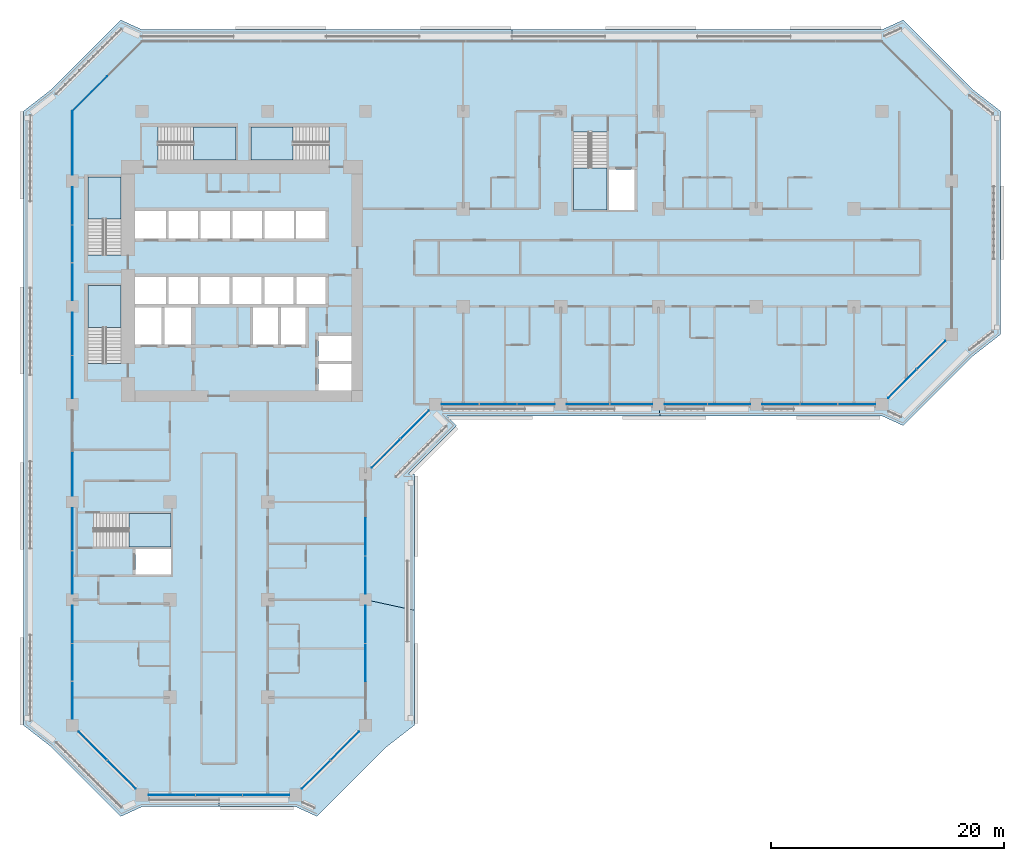
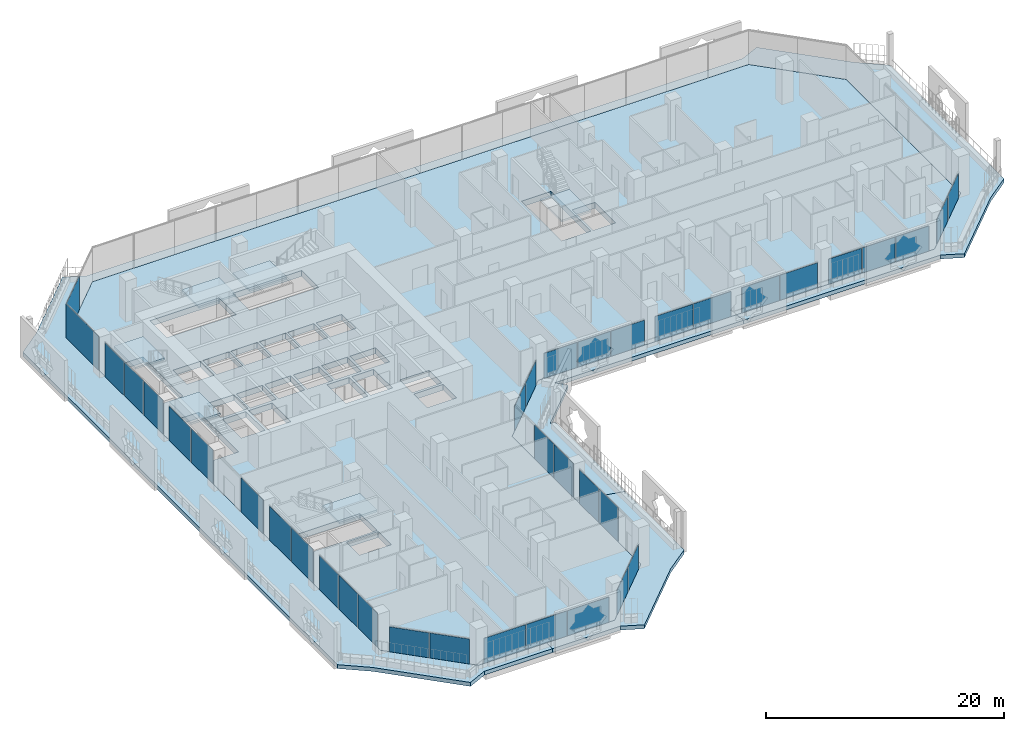
# One storey, part 10 of 25: 38 plates, 11 slabs, 15 elements without a shape of their own.
"""IFC4 building model written with IfcOpenShell, lengths in metres."""

from ifc_helpers import new_model, si_unit, direction, frame, origin, origin_2d, place, context, subcontext, project, spatial, polyline, rectangle, outline, extrude, material, layer, layer_set, type_object, element, aggregate, save


model = new_model("IFC4")

# Units and contexts
model_context = context("Model", 3, precision=1e-05, world=origin(), true_north=direction((0.0, 1.0)))
body_context = subcontext(model_context, "Body", "Model", "MODEL_VIEW")
ifc_project = project(units=[si_unit("LENGTHUNIT", "METRE"), si_unit("AREAUNIT", "SQUARE_METRE"), si_unit("VOLUMEUNIT", "CUBIC_METRE"), si_unit("PLANEANGLEUNIT", "RADIAN"), si_unit("MASSUNIT", "GRAM", prefix="KILO")], contexts=[model_context])

# Site, building, storey
site_placement = place(None, origin())
site = spatial("IfcSite", under=ifc_project, at=site_placement, CompositionType="ELEMENT")
building_placement = place(site_placement, origin())
building = spatial("IfcBuilding", under=site, at=building_placement, Name="Kawkab Arch Medical Tower", CompositionType="ELEMENT")
storey_placement = place(building_placement, frame((0.0, 0.0, 136.60009765625)))
storey = spatial("IfcBuildingStorey", under=building, at=storey_placement, Name="L31", CompositionType="ELEMENT", Elevation=136.60009765625)

# Curtain wall, plates
ifc_material_1 = material(Name="Bronze anodised aluminium curtain wall frame", Category="aluminium")
ifc_layer_1 = layer(ifc_material_1, 0.159912109375)
ifc_layer_set_1 = layer_set([ifc_layer_1], Name="Bronze anodised aluminium curtain wall frame")
curtain_wall_type_1 = type_object("IfcCurtainWallType", Name="CW1 ward curtain wall", PredefinedType="NOTDEFINED", material=ifc_layer_set_1)
placement_1 = place(storey_placement, origin())
curtain_wall_1 = element("IfcCurtainWall", 1, at=placement_1, inside=storey, type_object=curtain_wall_type_1, Name="CW1 Ward curtain wall R01", PredefinedType="NOTDEFINED")
ifc_material_2 = material(Name="Tinted insulating glass, bronze low-e coating", Category="glass")
ifc_layer_2 = layer(ifc_material_2, 0.031982421875)
ifc_layer_set_2 = layer_set([ifc_layer_2], Name="Tinted insulating glass, bronze low-e coating")
plate_type_1 = type_object("IfcPlateType", Name="CW1 glazing unit 32", PredefinedType="CURTAIN_PANEL", material=ifc_layer_set_2)
plate_1_placement = place(storey_placement, frame((0.0, -2.72509765625, 0.0), z_axis=(0.0, 0.0, 1.0), x_axis=(0.0, -1.0, 0.0)))
plate_1 = element("IfcPlate", 2, at=plate_1_placement, type_object=plate_type_1, Name="CW1 glazing unit 1.1", PredefinedType="CURTAIN_PANEL", context=body_context, shape_type="SweptSolid", body=[
    extrude(rectangle(XDim=5.449951171875, YDim=0.031982421875, at=origin_2d()), origin(), (0.0, 0.0, 1.0), 3.47998046875),
])
plate_2_placement = place(storey_placement, frame((0.0, -8.15576171875, 0.0), z_axis=(0.0, 0.0, 1.0), x_axis=(0.0, -1.0, 0.0)))
plate_2 = element("IfcPlate", 3, at=plate_2_placement, type_object=plate_type_1, Name="CW1 glazing unit 2.1", PredefinedType="CURTAIN_PANEL", context=body_context, shape_type="SweptSolid", body=[
    extrude(rectangle(XDim=3.211669921875, YDim=0.031982421875, at=origin_2d()), origin(), (0.0, 0.0, 1.0), 3.47998046875),
])
plate_3_placement = place(storey_placement, frame((0.0, -11.41259765625, 0.0), z_axis=(0.0, 0.0, 1.0), x_axis=(0.0, -1.0, 0.0)))
plate_3 = element("IfcPlate", 4, at=plate_3_placement, type_object=plate_type_1, Name="CW1 glazing unit 2.2", PredefinedType="CURTAIN_PANEL", context=body_context, shape_type="SweptSolid", body=[
    extrude(rectangle(XDim=3.181640625, YDim=0.031982421875, at=origin_2d()), origin(), (0.0, 0.0, 1.0), 3.47998046875),
])
plate_4_placement = place(storey_placement, frame((0.0, -14.669189453125, 0.0), z_axis=(0.0, 0.0, 1.0), x_axis=(0.0, -1.0, 0.0)))
plate_4 = element("IfcPlate", 5, at=plate_4_placement, type_object=plate_type_1, Name="CW1 glazing unit 2.3", PredefinedType="CURTAIN_PANEL", context=body_context, shape_type="SweptSolid", body=[
    extrude(rectangle(XDim=3.211669921875, YDim=0.031982421875, at=origin_2d()), origin(), (0.0, 0.0, 1.0), 3.47998046875),
])
plate_5_placement = place(storey_placement, frame((0.0, -19.1474609375, 0.0), z_axis=(0.0, 0.0, 1.0), x_axis=(0.0, -1.0, 0.0)))
plate_5 = element("IfcPlate", 6, at=plate_5_placement, type_object=plate_type_1, Name="CW1 glazing unit 3.1", PredefinedType="CURTAIN_PANEL", context=body_context, shape_type="SweptSolid", body=[
    extrude(rectangle(XDim=3.64501953125, YDim=0.031982421875, at=origin_2d()), origin(), (0.0, 0.0, 1.0), 3.47998046875),
])
plate_6_placement = place(storey_placement, frame((0.0, -22.8525390625, 0.0), z_axis=(0.0, 0.0, 1.0), x_axis=(0.0, -1.0, 0.0)))
plate_6 = element("IfcPlate", 7, at=plate_6_placement, type_object=plate_type_1, Name="CW1 glazing unit 3.2", PredefinedType="CURTAIN_PANEL", context=body_context, shape_type="SweptSolid", body=[
    extrude(rectangle(XDim=3.64501953125, YDim=0.031982421875, at=origin_2d()), origin(), (0.0, 0.0, 1.0), 3.47998046875),
])
plate_7_placement = place(storey_placement, frame((0.0, -31.237548828125, 0.0), z_axis=(0.0, 0.0, 1.0), x_axis=(0.0, -1.0, 0.0)))
plate_7 = element("IfcPlate", 8, at=plate_7_placement, type_object=plate_type_1, Name="CW1 glazing unit 4.2", PredefinedType="CURTAIN_PANEL", context=body_context, shape_type="SweptSolid", body=[
    extrude(rectangle(XDim=3.675048828125, YDim=0.031982421875, at=origin_2d()), origin(), (0.0, 0.0, 1.0), 3.47998046875),
])
plate_8_placement = place(storey_placement, frame((0.0, -35.947509765625, 0.0), z_axis=(0.0, 0.0, 1.0), x_axis=(0.0, -1.0, 0.0)))
plate_8 = element("IfcPlate", 9, at=plate_8_placement, type_object=plate_type_1, Name="CW1 glazing unit 5.1", PredefinedType="CURTAIN_PANEL", context=body_context, shape_type="SweptSolid", body=[
    extrude(rectangle(XDim=3.64501953125, YDim=0.031982421875, at=origin_2d()), origin(), (0.0, 0.0, 1.0), 3.47998046875),
])
plate_9_placement = place(storey_placement, frame((0.0, -39.652587890625, 0.0), z_axis=(0.0, 0.0, 1.0), x_axis=(0.0, -1.0, 0.0)))
plate_9 = element("IfcPlate", 10, at=plate_9_placement, type_object=plate_type_1, Name="CW1 glazing unit 5.2", PredefinedType="CURTAIN_PANEL", context=body_context, shape_type="SweptSolid", body=[
    extrude(rectangle(XDim=3.64501953125, YDim=0.031982421875, at=origin_2d()), origin(), (0.0, 0.0, 1.0), 3.47998046875),
])
plate_10_placement = place(storey_placement, frame((0.0, -44.130859375, 0.0), z_axis=(0.0, 0.0, 1.0), x_axis=(0.0, -1.0, 0.0)))
plate_10 = element("IfcPlate", 11, at=plate_10_placement, type_object=plate_type_1, Name="CW1 glazing unit 6.1", PredefinedType="CURTAIN_PANEL", context=body_context, shape_type="SweptSolid", body=[
    extrude(rectangle(XDim=3.211669921875, YDim=0.031982421875, at=origin_2d()), origin(), (0.0, 0.0, 1.0), 3.47998046875),
])
plate_11_placement = place(storey_placement, frame((0.0, -47.387451171875, 0.0), z_axis=(0.0, 0.0, 1.0), x_axis=(0.0, -1.0, 0.0)))
plate_11 = element("IfcPlate", 12, at=plate_11_placement, type_object=plate_type_1, Name="CW1 glazing unit 6.2", PredefinedType="CURTAIN_PANEL", context=body_context, shape_type="SweptSolid", body=[
    extrude(rectangle(XDim=3.181640625, YDim=0.031982421875, at=origin_2d()), origin(), (0.0, 0.0, 1.0), 3.47998046875),
])
plate_12_placement = place(storey_placement, frame((0.0, -50.644287109375, 0.0), z_axis=(0.0, 0.0, 1.0), x_axis=(0.0, -1.0, 0.0)))
plate_12 = element("IfcPlate", 13, at=plate_12_placement, type_object=plate_type_1, Name="CW1 glazing unit 6.3", PredefinedType="CURTAIN_PANEL", context=body_context, shape_type="SweptSolid", body=[
    extrude(rectangle(XDim=3.211669921875, YDim=0.031982421875, at=origin_2d()), origin(), (0.0, 0.0, 1.0), 3.47998046875),
])
aggregate(curtain_wall_1, [plate_1, plate_2, plate_3, plate_4, plate_5, plate_6, plate_7, plate_8, plate_9, plate_10, plate_11, plate_12])

curtain_wall_2 = element("IfcCurtainWall", 14, at=placement_1, inside=storey, type_object=curtain_wall_type_1, Name="CW1 Ward curtain wall R03", PredefinedType="NOTDEFINED")
plate_13_placement = place(storey_placement, frame((8.5517578125, -58.800048828125, -0.000244140625), z_axis=(0.0, 0.0, 1.0), x_axis=(1.0, 0.0, 0.0)))
plate_13 = element("IfcPlate", 15, at=plate_13_placement, type_object=plate_type_1, Name="CW1 glazing unit 1.1", PredefinedType="CURTAIN_PANEL", context=body_context, shape_type="SweptSolid", body=[
    extrude(rectangle(XDim=4.00341796875, YDim=0.031982421875, at=origin_2d()), origin(), (0.0, 0.0, 1.0), 2.580078125),
])
plate_14_placement = place(storey_placement, frame((12.60009765625, -58.800048828125, -0.000244140625), z_axis=(0.0, 0.0, 1.0), x_axis=(1.0, 0.0, 0.0)))
plate_14 = element("IfcPlate", 16, at=plate_14_placement, type_object=plate_type_1, Name="CW1 glazing unit 1.2", PredefinedType="CURTAIN_PANEL", context=body_context, shape_type="SweptSolid", body=[
    extrude(rectangle(XDim=3.973388671875, YDim=0.031982421875, at=origin_2d()), origin(), (0.0, 0.0, 1.0), 2.580078125),
])
plate_15_placement = place(storey_placement, frame((16.6484375, -58.800048828125, -0.000244140625), z_axis=(0.0, 0.0, 1.0), x_axis=(1.0, 0.0, 0.0)))
plate_15 = element("IfcPlate", 17, at=plate_15_placement, type_object=plate_type_1, Name="CW1 glazing unit 1.3", PredefinedType="CURTAIN_PANEL", context=body_context, shape_type="SweptSolid", body=[
    extrude(rectangle(XDim=4.00341796875, YDim=0.031982421875, at=origin_2d()), origin(), (0.0, 0.0, 1.0), 2.580078125),
])
aggregate(curtain_wall_2, [plate_13, plate_14, plate_15])

curtain_wall_3 = element("IfcCurtainWall", 18, at=placement_1, inside=storey, type_object=curtain_wall_type_1, Name="CW1 Ward curtain wall R05", PredefinedType="NOTDEFINED")
plate_16_placement = place(storey_placement, frame((25.199951171875, -47.402587890625, 0.0), z_axis=(0.0, 0.0, 1.0), x_axis=(0.0, 1.0, 0.0)))
plate_16 = element("IfcPlate", 19, at=plate_16_placement, type_object=plate_type_1, Name="CW1 glazing unit 1.2", PredefinedType="CURTAIN_PANEL", context=body_context, shape_type="SweptSolid", body=[
    extrude(rectangle(XDim=3.211669921875, YDim=0.031982421875, at=origin_2d()), origin(), (0.0, 0.0, 1.0), 3.47998046875),
])
plate_17_placement = place(storey_placement, frame((25.199951171875, -44.130859375, 0.0), z_axis=(0.0, 0.0, 1.0), x_axis=(0.0, 1.0, 0.0)))
plate_17 = element("IfcPlate", 20, at=plate_17_placement, type_object=plate_type_1, Name="CW1 glazing unit 1.3", PredefinedType="CURTAIN_PANEL", context=body_context, shape_type="SweptSolid", body=[
    extrude(rectangle(XDim=3.211669921875, YDim=0.031982421875, at=origin_2d()), origin(), (0.0, 0.0, 1.0), 3.47998046875),
])
plate_18_placement = place(storey_placement, frame((25.199951171875, -39.869140625, 0.0), z_axis=(0.0, 0.0, 1.0), x_axis=(0.0, 1.0, 0.0)))
plate_18 = element("IfcPlate", 21, at=plate_18_placement, type_object=plate_type_1, Name="CW1 glazing unit 2.1", PredefinedType="CURTAIN_PANEL", context=body_context, shape_type="SweptSolid", body=[
    extrude(rectangle(XDim=3.211669921875, YDim=0.031982421875, at=origin_2d()), origin(), (0.0, 0.0, 1.0), 3.47998046875),
])
plate_19_placement = place(storey_placement, frame((25.199951171875, -36.597412109375, 0.0), z_axis=(0.0, 0.0, 1.0), x_axis=(0.0, 1.0, 0.0)))
plate_19 = element("IfcPlate", 22, at=plate_19_placement, type_object=plate_type_1, Name="CW1 glazing unit 2.2", PredefinedType="CURTAIN_PANEL", context=body_context, shape_type="SweptSolid", body=[
    extrude(rectangle(XDim=3.211669921875, YDim=0.031982421875, at=origin_2d()), origin(), (0.0, 0.0, 1.0), 3.47998046875),
])
aggregate(curtain_wall_3, [plate_16, plate_17, plate_18, plate_19])

curtain_wall_4 = element("IfcCurtainWall", 23, at=placement_1, inside=storey, type_object=curtain_wall_type_1, Name="CW1 Ward curtain wall R07", PredefinedType="NOTDEFINED")
plate_20_placement = place(storey_placement, frame((33.355712890625, -25.199951171875, -0.000244140625), z_axis=(0.0, 0.0, 1.0), x_axis=(1.0, 0.0, 0.0)))
plate_20 = element("IfcPlate", 24, at=plate_20_placement, type_object=plate_type_1, Name="CW1 glazing unit 1.1", PredefinedType="CURTAIN_PANEL", context=body_context, shape_type="SweptSolid", body=[
    extrude(rectangle(XDim=3.211669921875, YDim=0.031982421875, at=origin_2d()), origin(), (0.0, 0.0, 1.0), 2.580078125),
])
plate_21_placement = place(storey_placement, frame((36.612548828125, -25.199951171875, -0.000244140625), z_axis=(0.0, 0.0, 1.0), x_axis=(1.0, 0.0, 0.0)))
plate_21 = element("IfcPlate", 25, at=plate_21_placement, type_object=plate_type_1, Name="CW1 glazing unit 1.2", PredefinedType="CURTAIN_PANEL", context=body_context, shape_type="SweptSolid", body=[
    extrude(rectangle(XDim=3.181640625, YDim=0.031982421875, at=origin_2d()), origin(), (0.0, 0.0, 1.0), 2.580078125),
])
plate_22_placement = place(storey_placement, frame((39.869140625, -25.199951171875, -0.000244140625), z_axis=(0.0, 0.0, 1.0), x_axis=(1.0, 0.0, 0.0)))
plate_22 = element("IfcPlate", 26, at=plate_22_placement, type_object=plate_type_1, Name="CW1 glazing unit 1.3", PredefinedType="CURTAIN_PANEL", context=body_context, shape_type="SweptSolid", body=[
    extrude(rectangle(XDim=3.211669921875, YDim=0.031982421875, at=origin_2d()), origin(), (0.0, 0.0, 1.0), 2.580078125),
])
plate_23_placement = place(storey_placement, frame((44.347412109375, -25.199951171875, -0.000244140625), z_axis=(0.0, 0.0, 1.0), x_axis=(1.0, 0.0, 0.0)))
plate_23 = element("IfcPlate", 27, at=plate_23_placement, type_object=plate_type_1, Name="CW1 glazing unit 2.1", PredefinedType="CURTAIN_PANEL", context=body_context, shape_type="SweptSolid", body=[
    extrude(rectangle(XDim=3.64501953125, YDim=0.031982421875, at=origin_2d()), origin(), (0.0, 0.0, 1.0), 2.580078125),
])
plate_24_placement = place(storey_placement, frame((48.052490234375, -25.199951171875, -0.000244140625), z_axis=(0.0, 0.0, 1.0), x_axis=(1.0, 0.0, 0.0)))
plate_24 = element("IfcPlate", 28, at=plate_24_placement, type_object=plate_type_1, Name="CW1 glazing unit 2.2", PredefinedType="CURTAIN_PANEL", context=body_context, shape_type="SweptSolid", body=[
    extrude(rectangle(XDim=3.64501953125, YDim=0.031982421875, at=origin_2d()), origin(), (0.0, 0.0, 1.0), 2.580078125),
])
plate_25_placement = place(storey_placement, frame((52.74755859375, -25.199951171875, -0.000244140625), z_axis=(0.0, 0.0, 1.0), x_axis=(1.0, 0.0, 0.0)))
plate_25 = element("IfcPlate", 29, at=plate_25_placement, type_object=plate_type_1, Name="CW1 glazing unit 3.1", PredefinedType="CURTAIN_PANEL", context=body_context, shape_type="SweptSolid", body=[
    extrude(rectangle(XDim=3.64501953125, YDim=0.031982421875, at=origin_2d()), origin(), (0.0, 0.0, 1.0), 2.580078125),
])
plate_26_placement = place(storey_placement, frame((56.452392578125, -25.199951171875, -0.000244140625), z_axis=(0.0, 0.0, 1.0), x_axis=(1.0, 0.0, 0.0)))
plate_26 = element("IfcPlate", 30, at=plate_26_placement, type_object=plate_type_1, Name="CW1 glazing unit 3.2", PredefinedType="CURTAIN_PANEL", context=body_context, shape_type="SweptSolid", body=[
    extrude(rectangle(XDim=3.64501953125, YDim=0.031982421875, at=origin_2d()), origin(), (0.0, 0.0, 1.0), 2.580078125),
])
plate_27_placement = place(storey_placement, frame((60.930908203125, -25.199951171875, -0.000244140625), z_axis=(0.0, 0.0, 1.0), x_axis=(1.0, 0.0, 0.0)))
plate_27 = element("IfcPlate", 31, at=plate_27_placement, type_object=plate_type_1, Name="CW1 glazing unit 4.1", PredefinedType="CURTAIN_PANEL", context=body_context, shape_type="SweptSolid", body=[
    extrude(rectangle(XDim=3.211669921875, YDim=0.031982421875, at=origin_2d()), origin(), (0.0, 0.0, 1.0), 2.580078125),
])
plate_28_placement = place(storey_placement, frame((64.1875, -25.199951171875, -0.000244140625), z_axis=(0.0, 0.0, 1.0), x_axis=(1.0, 0.0, 0.0)))
plate_28 = element("IfcPlate", 32, at=plate_28_placement, type_object=plate_type_1, Name="CW1 glazing unit 4.2", PredefinedType="CURTAIN_PANEL", context=body_context, shape_type="SweptSolid", body=[
    extrude(rectangle(XDim=3.181640625, YDim=0.031982421875, at=origin_2d()), origin(), (0.0, 0.0, 1.0), 2.580078125),
])
plate_29_placement = place(storey_placement, frame((67.444091796875, -25.199951171875, -0.000244140625), z_axis=(0.0, 0.0, 1.0), x_axis=(1.0, 0.0, 0.0)))
plate_29 = element("IfcPlate", 33, at=plate_29_placement, type_object=plate_type_1, Name="CW1 glazing unit 4.3", PredefinedType="CURTAIN_PANEL", context=body_context, shape_type="SweptSolid", body=[
    extrude(rectangle(XDim=3.211669921875, YDim=0.031982421875, at=origin_2d()), origin(), (0.0, 0.0, 1.0), 2.580078125),
])
aggregate(curtain_wall_4, [plate_20, plate_21, plate_22, plate_23, plate_24, plate_25, plate_26, plate_27, plate_28, plate_29])

ifc_material_3 = material(Name="Bronze anodised aluminium curtain wall frame", Category="aluminium")
ifc_layer_3 = layer(ifc_material_3, 0.159912109375)
ifc_layer_set_3 = layer_set([ifc_layer_3], Name="Bronze anodised aluminium curtain wall frame")
curtain_wall_type_2 = type_object("IfcCurtainWallType", Name="CW2 chamfer curtain wall", PredefinedType="NOTDEFINED", material=ifc_layer_set_3)
curtain_wall_5 = element("IfcCurtainWall", 34, at=placement_1, inside=storey, type_object=curtain_wall_type_2, Name="CW2 Chamfer curtain wall R02", PredefinedType="NOTDEFINED")
ifc_material_4 = material(Name="Tinted insulating glass, bronze low-e coating", Category="glass")
ifc_layer_4 = layer(ifc_material_4, 0.031982421875)
ifc_layer_set_4 = layer_set([ifc_layer_4], Name="Tinted insulating glass, bronze low-e coating")
plate_type_2 = type_object("IfcPlateType", Name="CW2 glazing unit 32", PredefinedType="CURTAIN_PANEL", material=ifc_layer_set_4)
plate_30_placement = place(storey_placement, frame((1.764404296875, -54.564453125, -0.000244140625), z_axis=(0.0, 0.0, 1.0), x_axis=(0.707106781187, -0.707106781187, 0.0)))
plate_30 = element("IfcPlate", 35, at=plate_30_placement, type_object=plate_type_2, Name="CW2 glazing unit 1.1", PredefinedType="CURTAIN_PANEL", context=body_context, shape_type="SweptSolid", body=[
    extrude(rectangle(XDim=3.434814453125, YDim=0.031982421875, at=origin_2d()), origin(), (0.0, 0.0, 1.0), 2.56005859375),
])
plate_31_placement = place(storey_placement, frame((4.235595703125, -57.03564453125, -0.000244140625), z_axis=(0.0, 0.0, 1.0), x_axis=(0.707106781187, -0.707106781187, 0.0)))
plate_31 = element("IfcPlate", 36, at=plate_31_placement, type_object=plate_type_2, Name="CW2 glazing unit 1.2", PredefinedType="CURTAIN_PANEL", context=body_context, shape_type="SweptSolid", body=[
    extrude(rectangle(XDim=3.434814453125, YDim=0.031982421875, at=origin_2d()), origin(), (0.0, 0.0, 1.0), 2.56005859375),
])
aggregate(curtain_wall_5, [plate_30, plate_31])

curtain_wall_6 = element("IfcCurtainWall", 37, at=placement_1, inside=storey, type_object=curtain_wall_type_2, Name="CW2 Chamfer curtain wall R04", PredefinedType="NOTDEFINED")
plate_32_placement = place(storey_placement, frame((20.96435546875, -57.03564453125, -0.000244140625), z_axis=(0.0, 0.0, 1.0), x_axis=(0.707106781187, 0.707106781187, 0.0)))
plate_32 = element("IfcPlate", 38, at=plate_32_placement, type_object=plate_type_2, Name="CW2 glazing unit 1.1", PredefinedType="CURTAIN_PANEL", context=body_context, shape_type="SweptSolid", body=[
    extrude(rectangle(XDim=3.434814453125, YDim=0.031982421875, at=origin_2d()), origin(), (0.0, 0.0, 1.0), 2.56005859375),
])
plate_33_placement = place(storey_placement, frame((23.435546875, -54.564453125, -0.000244140625), z_axis=(0.0, 0.0, 1.0), x_axis=(0.707106781187, 0.707106781187, 0.0)))
plate_33 = element("IfcPlate", 39, at=plate_33_placement, type_object=plate_type_2, Name="CW2 glazing unit 1.2", PredefinedType="CURTAIN_PANEL", context=body_context, shape_type="SweptSolid", body=[
    extrude(rectangle(XDim=3.434814453125, YDim=0.031982421875, at=origin_2d()), origin(), (0.0, 0.0, 1.0), 2.56005859375),
])
aggregate(curtain_wall_6, [plate_32, plate_33])

curtain_wall_7 = element("IfcCurtainWall", 40, at=placement_1, inside=storey, type_object=curtain_wall_type_2, Name="CW2 Chamfer curtain wall R06", PredefinedType="NOTDEFINED")
plate_34_placement = place(storey_placement, frame((26.96435546875, -29.435546875, -0.000244140625), z_axis=(0.0, 0.0, 1.0), x_axis=(0.707106781187, 0.707106781187, 0.0)))
plate_34 = element("IfcPlate", 41, at=plate_34_placement, type_object=plate_type_2, Name="CW2 glazing unit 1.1", PredefinedType="CURTAIN_PANEL", context=body_context, shape_type="SweptSolid", body=[
    extrude(rectangle(XDim=3.434814453125, YDim=0.031982421875, at=origin_2d()), origin(), (0.0, 0.0, 1.0), 2.56005859375),
])
plate_35_placement = place(storey_placement, frame((29.435546875, -26.96435546875, -0.000244140625), z_axis=(0.0, 0.0, 1.0), x_axis=(0.707106781187, 0.707106781187, 0.0)))
plate_35 = element("IfcPlate", 42, at=plate_35_placement, type_object=plate_type_2, Name="CW2 glazing unit 1.2", PredefinedType="CURTAIN_PANEL", context=body_context, shape_type="SweptSolid", body=[
    extrude(rectangle(XDim=3.434814453125, YDim=0.031982421875, at=origin_2d()), origin(), (0.0, 0.0, 1.0), 2.56005859375),
])
aggregate(curtain_wall_7, [plate_34, plate_35])

curtain_wall_8 = element("IfcCurtainWall", 43, at=placement_1, inside=storey, type_object=curtain_wall_type_2, Name="CW2 Chamfer curtain wall R08", PredefinedType="NOTDEFINED")
plate_36_placement = place(storey_placement, frame((71.364501953125, -23.435546875, -0.000244140625), z_axis=(0.0, 0.0, 1.0), x_axis=(0.707106781187, 0.707106781187, 0.0)))
plate_36 = element("IfcPlate", 44, at=plate_36_placement, type_object=plate_type_2, Name="CW2 glazing unit 1.1", PredefinedType="CURTAIN_PANEL", context=body_context, shape_type="SweptSolid", body=[
    extrude(rectangle(XDim=3.434814453125, YDim=0.031982421875, at=origin_2d()), origin(), (0.0, 0.0, 1.0), 2.56005859375),
])
plate_37_placement = place(storey_placement, frame((73.835693359375, -20.96435546875, -0.000244140625), z_axis=(0.0, 0.0, 1.0), x_axis=(0.707106781187, 0.707106781187, 0.0)))
plate_37 = element("IfcPlate", 45, at=plate_37_placement, type_object=plate_type_2, Name="CW2 glazing unit 1.2", PredefinedType="CURTAIN_PANEL", context=body_context, shape_type="SweptSolid", body=[
    extrude(rectangle(XDim=3.434814453125, YDim=0.031982421875, at=origin_2d()), origin(), (0.0, 0.0, 1.0), 2.56005859375),
])
aggregate(curtain_wall_8, [plate_36, plate_37])

# Curtain wall, plate
curtain_wall_9 = element("IfcCurtainWall", 46, at=placement_1, inside=storey, type_object=curtain_wall_type_2, Name="CW2 Chamfer curtain wall R12", PredefinedType="NOTDEFINED")
plate_38_placement = place(storey_placement, frame((1.5, 1.5, 0.0), z_axis=(0.0, 0.0, 1.0), x_axis=(-0.707106781187, -0.707106781187, 0.0)))
plate_38 = element("IfcPlate", 47, at=plate_38_placement, type_object=plate_type_2, Name="CW2 glazing unit 2.1", PredefinedType="CURTAIN_PANEL", context=body_context, shape_type="SweptSolid", body=[
    extrude(rectangle(XDim=4.24267578125, YDim=0.031982421875, at=origin_2d()), origin(), (0.0, 0.0, 1.0), 3.4599609375),
])
aggregate(curtain_wall_9, [plate_38])

# Stair, slab
ifc_material_5 = material(Name="Concrete C40/50", Category="concrete")
stair_type = type_object("IfcStairType", Name="Exit stair 1350", PredefinedType="HALF_TURN_STAIR", material=ifc_material_5)
stair_1 = element("IfcStair", 48, at=placement_1, inside=storey, type_object=stair_type, Name="L31 Exit stair ST1", PredefinedType="HALF_TURN_STAIR")
ifc_material_6 = material(Name="Concrete C40/50", Category="concrete")
ifc_layer_5 = layer(ifc_material_6, 0.199951171875)
ifc_layer_set_5 = layer_set([ifc_layer_5], Name="Concrete C40/50")
slab_type_1 = type_object("IfcSlabType", Name="Exit stair landing 200", PredefinedType="LANDING", material=ifc_layer_set_5)
placement_2 = place(storey_placement, frame((0.0, 0.0, 1.89990234375)))
slab_1 = element("IfcSlab", 49, at=placement_2, type_object=slab_type_1, Name="ST1 landing 1", PredefinedType="LANDING", context=body_context, shape_type="SweptSolid", body=[
    extrude(outline(polyline([(4.199951171875, -9.27001953125), (4.199951171875, -5.64990234375), (1.35009765625, -5.64990234375), (1.35009765625, -9.27001953125), (4.199951171875, -9.27001953125)])), origin(), (0.0, 0.0, 1.0), 0.199951171875),
])
aggregate(stair_1, [slab_1])

stair_2 = element("IfcStair", 50, at=placement_1, inside=storey, type_object=stair_type, Name="L31 Exit stair ST2", PredefinedType="HALF_TURN_STAIR")
slab_2 = element("IfcSlab", 51, at=placement_2, type_object=slab_type_1, Name="ST2 landing 1", PredefinedType="LANDING", context=body_context, shape_type="SweptSolid", body=[
    extrude(outline(polyline([(4.199951171875, -18.6201171875), (4.199951171875, -15.0), (1.35009765625, -15.0), (1.35009765625, -18.6201171875), (4.199951171875, -18.6201171875)])), origin(), (0.0, 0.0, 1.0), 0.199951171875),
])
aggregate(stair_2, [slab_2])

stair_3 = element("IfcStair", 52, at=placement_1, inside=storey, type_object=stair_type, Name="L31 Exit stair ST3", PredefinedType="HALF_TURN_STAIR")
slab_3 = element("IfcSlab", 53, at=placement_2, type_object=slab_type_1, Name="ST3 landing 1", PredefinedType="LANDING", context=body_context, shape_type="SweptSolid", body=[
    extrude(outline(polyline([(10.429931640625, -4.199951171875), (14.050048828125, -4.199951171875), (14.050048828125, -1.35009765625), (10.429931640625, -1.35009765625), (10.429931640625, -4.199951171875)])), origin(), (0.0, 0.0, 1.0), 0.199951171875),
])
aggregate(stair_3, [slab_3])

stair_4 = element("IfcStair", 54, at=placement_1, inside=storey, type_object=stair_type, Name="L31 Exit stair ST4", PredefinedType="HALF_TURN_STAIR")
slab_4 = element("IfcSlab", 55, at=placement_2, type_object=slab_type_1, Name="ST4 landing 1", PredefinedType="LANDING", context=body_context, shape_type="SweptSolid", body=[
    extrude(outline(polyline([(18.969970703125, -1.35009765625), (15.35009765625, -1.35009765625), (15.35009765625, -4.199951171875), (18.969970703125, -4.199951171875), (18.969970703125, -1.35009765625)])), origin(), (0.0, 0.0, 1.0), 0.199951171875),
])
aggregate(stair_4, [slab_4])

stair_5 = element("IfcStair", 56, at=placement_1, inside=storey, type_object=stair_type, Name="L31 Exit stair ST5", PredefinedType="HALF_TURN_STAIR")
slab_5 = element("IfcSlab", 57, at=placement_2, type_object=slab_type_1, Name="ST5 landing 1", PredefinedType="LANDING", context=body_context, shape_type="SweptSolid", body=[
    extrude(outline(polyline([(43.10009765625, -4.8798828125), (43.10009765625, -8.5), (45.949951171875, -8.5), (45.949951171875, -4.8798828125), (43.10009765625, -4.8798828125)])), origin(), (0.0, 0.0, 1.0), 0.199951171875),
])
aggregate(stair_5, [slab_5])

stair_6 = element("IfcStair", 58, at=placement_1, inside=storey, type_object=stair_type, Name="L31 Exit stair ST6", PredefinedType="HALF_TURN_STAIR")
slab_6 = element("IfcSlab", 59, at=placement_2, type_object=slab_type_1, Name="ST6 landing 1", PredefinedType="LANDING", context=body_context, shape_type="SweptSolid", body=[
    extrude(outline(polyline([(4.8798828125, -37.449951171875), (8.5, -37.449951171875), (8.5, -34.60009765625), (4.8798828125, -34.60009765625), (4.8798828125, -37.449951171875)])), origin(), (0.0, 0.0, 1.0), 0.199951171875),
])
aggregate(stair_6, [slab_6])

# Slabs
ifc_material_7 = material(Name="Concrete C45/55", Category="concrete")
ifc_layer_6 = layer(ifc_material_7, 0.60009765625)
ifc_layer_set_6 = layer_set([ifc_layer_6], Name="Concrete C45/55")
slab_type_2 = type_object("IfcSlabType", Name="Flat plate 600 C45/55", PredefinedType="FLOOR", material=ifc_layer_set_6)
slab_7_placement = place(storey_placement, frame((0.0, 0.0, -0.60009765625)))
element("IfcSlab", 60, at=slab_7_placement, inside=storey, type_object=slab_type_2, Name="Floor slab L31", PredefinedType="FLOOR", context=body_context, shape_type="SweptSolid", body=[
    extrude(outline(polyline([(6.0, 6.0), (69.60009765625, 6.0), (75.60009765625, 0.0), (75.60009765625, -19.199951171875), (69.60009765625, -25.199951171875), (31.199951171875, -25.199951171875), (25.199951171875, -31.199951171875), (25.199951171875, -52.800048828125), (19.199951171875, -58.800048828125), (6.0, -58.800048828125), (0.0, -52.800048828125), (0.0, 0.0), (6.0, 6.0)]), holes=[polyline([(5.425048828125, -37.64990234375), (5.425048828125, -39.85009765625), (8.5, -39.85009765625), (8.5, -37.64990234375), (5.425048828125, -37.64990234375)]), polyline([(1.800048828125, -37.449951171875), (8.5, -37.449951171875), (8.5, -34.60009765625), (1.800048828125, -34.60009765625), (1.800048828125, -37.449951171875)]), polyline([(5.39990234375, -16.89990234375), (5.39990234375, -20.050048828125), (7.675048828125, -20.050048828125), (7.675048828125, -16.89990234375), (5.39990234375, -16.89990234375)]), polyline([(10.199951171875, -16.89990234375), (7.925048828125, -16.89990234375), (7.925048828125, -20.050048828125), (10.199951171875, -20.050048828125), (10.199951171875, -16.89990234375)]), polyline([(4.199951171875, -21.699951171875), (4.199951171875, -15.0), (1.35009765625, -15.0), (1.35009765625, -21.699951171875), (4.199951171875, -21.699951171875)]), polyline([(5.39990234375, -14.25), (5.39990234375, -16.60009765625), (8.050048828125, -16.60009765625), (8.050048828125, -14.25), (5.39990234375, -14.25)]), polyline([(10.800048828125, -14.25), (8.25, -14.25), (8.25, -16.60009765625), (10.800048828125, -16.60009765625), (10.800048828125, -14.25)]), polyline([(11.0, -14.25), (11.0, -16.60009765625), (13.52490234375, -16.60009765625), (13.52490234375, -14.25), (11.0, -14.25)]), polyline([(5.39990234375, -8.60009765625), (5.39990234375, -10.949951171875), (8.050048828125, -10.949951171875), (8.050048828125, -8.60009765625), (5.39990234375, -8.60009765625)]), polyline([(10.800048828125, -8.60009765625), (8.25, -8.60009765625), (8.25, -10.949951171875), (10.800048828125, -10.949951171875), (10.800048828125, -8.60009765625)]), polyline([(11.0, -10.949951171875), (13.550048828125, -10.949951171875), (13.550048828125, -8.60009765625), (11.0, -8.60009765625), (11.0, -10.949951171875)]), polyline([(4.199951171875, -12.35009765625), (4.199951171875, -5.64990234375), (1.35009765625, -5.64990234375), (1.35009765625, -12.35009765625), (4.199951171875, -12.35009765625)]), polyline([(7.35009765625, -4.199951171875), (14.050048828125, -4.199951171875), (14.050048828125, -1.35009765625), (7.35009765625, -1.35009765625), (7.35009765625, -4.199951171875)]), polyline([(24.0, -21.72509765625), (21.14990234375, -21.72509765625), (21.14990234375, -24.0), (24.0, -24.0), (24.0, -21.72509765625)]), polyline([(24.0, -21.47509765625), (24.0, -19.35009765625), (21.14990234375, -19.35009765625), (21.14990234375, -21.47509765625), (24.0, -21.47509765625)]), polyline([(15.52490234375, -16.89990234375), (15.52490234375, -20.050048828125), (17.675048828125, -20.050048828125), (17.675048828125, -16.89990234375), (15.52490234375, -16.89990234375)]), polyline([(17.925048828125, -20.050048828125), (20.050048828125, -20.050048828125), (20.050048828125, -16.89990234375), (17.925048828125, -16.89990234375), (17.925048828125, -20.050048828125)]), polyline([(16.27490234375, -14.25), (13.77490234375, -14.25), (13.77490234375, -16.60009765625), (16.27490234375, -16.60009765625), (16.27490234375, -14.25)]), polyline([(19.02490234375, -14.25), (16.52490234375, -14.25), (16.52490234375, -16.60009765625), (19.02490234375, -16.60009765625), (19.02490234375, -14.25)]), polyline([(19.27490234375, -16.60009765625), (21.75, -16.60009765625), (21.75, -14.25), (19.27490234375, -14.25), (19.27490234375, -16.60009765625)]), polyline([(13.75, -8.60009765625), (13.75, -10.949951171875), (16.300048828125, -10.949951171875), (16.300048828125, -8.60009765625), (13.75, -8.60009765625)]), polyline([(16.5, -8.60009765625), (16.5, -10.949951171875), (19.050048828125, -10.949951171875), (19.050048828125, -8.60009765625), (16.5, -8.60009765625)]), polyline([(19.25, -10.949951171875), (21.75, -10.949951171875), (21.75, -8.60009765625), (19.25, -8.60009765625), (19.25, -10.949951171875)]), polyline([(46.14990234375, -5.02490234375), (46.14990234375, -8.5), (48.35009765625, -8.5), (48.35009765625, -5.02490234375), (46.14990234375, -5.02490234375)]), polyline([(43.10009765625, -1.800048828125), (43.10009765625, -8.5), (45.949951171875, -8.5), (45.949951171875, -1.800048828125), (43.10009765625, -1.800048828125)]), polyline([(22.050048828125, -1.35009765625), (15.35009765625, -1.35009765625), (15.35009765625, -4.199951171875), (22.050048828125, -4.199951171875), (22.050048828125, -1.35009765625)])]), origin(), (0.0, 0.0, 1.0), 0.60009765625),
])
ifc_material_8 = material(Name="Concrete C40/50", Category="concrete")
ifc_layer_7 = layer(ifc_material_8, 0.39990234375)
ifc_layer_set_7 = layer_set([ifc_layer_7], Name="Concrete C40/50")
slab_type_3 = type_object("IfcSlabType", Name="Loggia slab 400", PredefinedType="FLOOR", material=ifc_layer_set_7)
placement_3 = place(storey_placement, frame((0.0, 0.0, -0.400146484375)))
element("IfcSlab", 61, at=placement_3, inside=storey, type_object=slab_type_3, Name="Loggia slab L31.1", PredefinedType="FLOOR", context=body_context, shape_type="SweptSolid", body=[
    extrude(outline(polyline([(19.199951171875, -59.800048828125), (12.60009765625, -59.800048828125), (12.60009765625, -58.800048828125), (19.199951171875, -58.800048828125), (25.199951171875, -52.800048828125), (25.199951171875, -42.0), (29.39990234375, -42.9130859375), (29.39990234375, -52.800048828125), (27.0380859375, -54.637939453125), (21.0380859375, -60.637939453125), (19.199951171875, -59.800048828125)])), origin(), (0.0, 0.0, 1.0), 0.400146484375),
])
element("IfcSlab", 62, at=placement_3, inside=storey, type_object=slab_type_3, Name="Loggia slab L31.2", PredefinedType="FLOOR", context=body_context, shape_type="SweptSolid", body=[
    extrude(outline(polyline([(33.037109375, -27.0380859375), (28.8759765625, -31.199951171875), (29.39990234375, -31.199951171875), (29.39990234375, -42.9130859375), (25.199951171875, -42.0), (25.199951171875, -31.199951171875), (31.199951171875, -25.199951171875), (50.39990234375, -25.199951171875), (50.534912109375, -26.199951171875), (32.198974609375, -26.199951171875), (33.037109375, -27.0380859375)])), origin(), (0.0, 0.0, 1.0), 0.400146484375),
])
element("IfcSlab", 63, at=placement_3, inside=storey, type_object=slab_type_3, Name="Loggia slab L31.3", PredefinedType="FLOOR", context=body_context, shape_type="SweptSolid", body=[
    extrude(outline(polyline([(-4.199951171875, 0.0), (-1.837890625, 1.837890625), (4.162109375, 7.837890625), (6.0, 7.0), (37.800048828125, 7.0), (37.800048828125, 6.0), (6.0, 6.0), (0.0, 0.0), (-0.0009765625, 0.0), (-0.0009765625, -52.800048828125), (0.0, -52.800048828125), (6.0, -58.800048828125), (12.60009765625, -58.800048828125), (12.60009765625, -59.800048828125), (6.0, -59.800048828125), (4.162109375, -60.637939453125), (-1.837890625, -54.637939453125), (-4.199951171875, -52.800048828125), (-4.199951171875, 0.0)])), origin(), (0.0, 0.0, 1.0), 0.400146484375),
])
element("IfcSlab", 64, at=placement_3, inside=storey, type_object=slab_type_3, Name="Loggia slab L31.4", PredefinedType="FLOOR", context=body_context, shape_type="SweptSolid", body=[
    extrude(outline(polyline([(37.800048828125, 7.0), (69.60009765625, 7.0), (71.43798828125, 7.837890625), (77.43798828125, 1.837890625), (79.800048828125, 0.0), (79.800048828125, -19.199951171875), (77.43798828125, -21.0380859375), (71.43798828125, -27.0380859375), (69.60009765625, -26.199951171875), (50.534912109375, -26.199951171875), (50.39990234375, -25.199951171875), (69.60009765625, -25.199951171875), (75.60009765625, -19.199951171875), (75.60009765625, 0.0), (69.60009765625, 6.0), (37.800048828125, 6.0), (37.800048828125, 7.0)])), origin(), (0.0, 0.0, 1.0), 0.400146484375),
])

save(model, "model.ifc")
